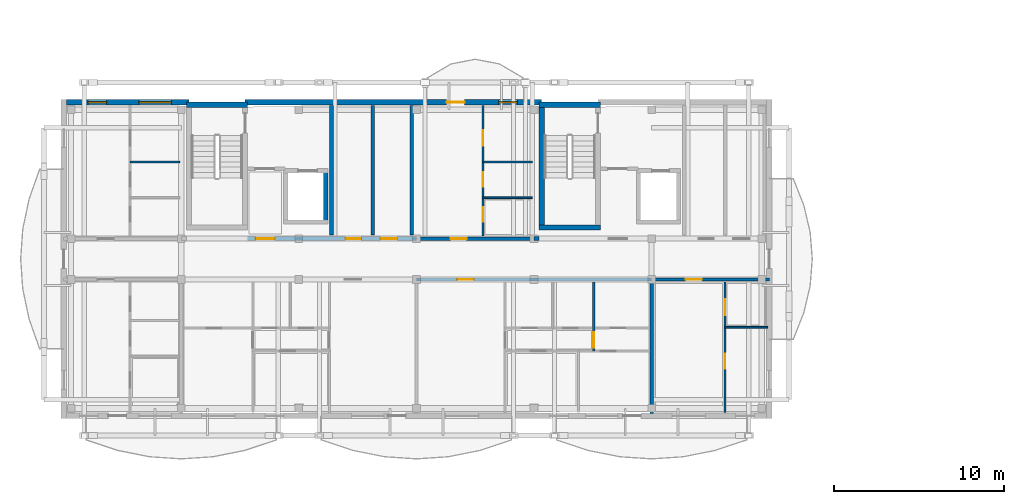
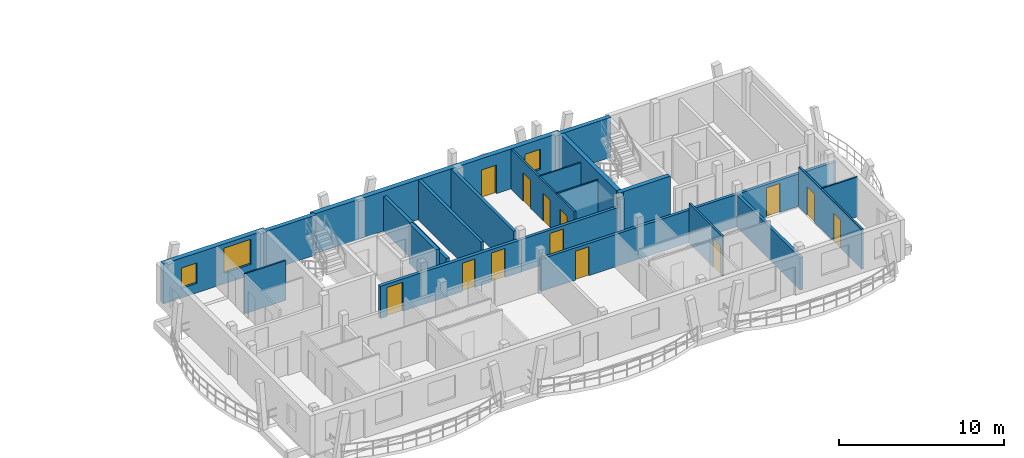
# One storey, part 12 of 29: 23 walls, 13 doors, 3 windows, 16 openings.
"""IFC4 building model written with IfcOpenShell, lengths in metres."""

import ifcopenshell
import ifcopenshell.guid

model = None  # the IFC model being written
_history = None  # IfcOwnerHistory: only IFC2X3 demands one
_inside = {}  # id of a spatial element -> (the spatial element, [elements in it])
_under = {}  # id of a project, library or spatial element -> (it, [spatial elements below it])
_declared = {}  # id of a project -> (the project, [libraries it declares])
_typed = {}  # id of a type object -> (the type object, [elements of that type])
_made_of = {}  # id of a material, layer set ... -> (it, [elements and type objects made of it])


def new_model(schema):
    """Start an empty IFC model of exactly this schema.

    Asked for "IFC4X3", IfcOpenShell would pick the latest addendum, in which some entities
    have other attributes; the version numbers below select the first issue.
    IFC2X3 requires an IfcOwnerHistory on every rooted entity: one is made here for all.
    """
    global model, _history
    if schema == "IFC4X3":
        model = ifcopenshell.file(schema_version=(4, 3, 0, 0))
    else:
        model = ifcopenshell.file(schema=schema)
    _inside.clear()
    _under.clear()
    _declared.clear()
    _typed.clear()
    _made_of.clear()
    _history = None
    if model.schema == "IFC2X3":
        org = make("IfcOrganization", Name="unknown")
        user = make(
            "IfcPersonAndOrganization",
            ThePerson=make("IfcPerson", FamilyName="unknown"),
            TheOrganization=org,
        )
        app = make(
            "IfcApplication",
            ApplicationDeveloper=org,
            Version="unknown",
            ApplicationFullName="unknown",
            ApplicationIdentifier="unknown",
        )
        _history = make(
            "IfcOwnerHistory",
            OwningUser=user,
            OwningApplication=app,
            ChangeAction="ADDED",
            CreationDate=0,
        )
    return model


def make(cls, **values):
    """One entity of the class cls with the attributes given. An attribute that is None is left unset."""
    return model.create_entity(
        cls, **{name: value for name, value in values.items() if value is not None}
    )


def rooted(cls, **values):
    """An entity with a GlobalId (a new one), such as an element, a storey or a relation."""
    return make(cls, GlobalId=ifcopenshell.guid.new(), OwnerHistory=_history, **values)


def si_unit(unit_type, name, prefix=None):
    """IfcSIUnit, for example si_unit("LENGTHUNIT", "METRE", prefix="MILLI")."""
    return make("IfcSIUnit", UnitType=unit_type, Prefix=prefix, Name=name)


def assignment(units):
    """IfcUnitAssignment: the units of a project."""
    return None if units is None else make("IfcUnitAssignment", Units=units)


def point(xyz):
    """IfcCartesianPoint."""
    return None if xyz is None else make("IfcCartesianPoint", Coordinates=xyz)


def direction(xyz):
    """IfcDirection."""
    return None if xyz is None else make("IfcDirection", DirectionRatios=xyz)


def frame(location, z_axis=None, x_axis=None):
    """IfcAxis2Placement3D, a coordinate frame: its origin and axes. An axis left out is left unset."""
    return make(
        "IfcAxis2Placement3D",
        Location=point(location),
        Axis=direction(z_axis),
        RefDirection=direction(x_axis),
    )


def frame_2d(location, x_axis=None):
    """IfcAxis2Placement2D, a coordinate frame in the plane: its origin and x axis."""
    return make(
        "IfcAxis2Placement2D", Location=point(location), RefDirection=direction(x_axis)
    )


def origin():
    """The frame at (0, 0, 0) with its axes left unset."""
    return frame((0.0, 0.0, 0.0))


def origin_with_axes():
    """The frame at (0, 0, 0) with the z axis (0, 0, 1) and the x axis (1, 0, 0) written out."""
    return frame((0.0, 0.0, 0.0), z_axis=(0.0, 0.0, 1.0), x_axis=(1.0, 0.0, 0.0))


def place(relative_to, where):
    """IfcLocalPlacement: puts the frame where relative to a parent placement (None: the world)."""
    return make(
        "IfcLocalPlacement", PlacementRelTo=relative_to, RelativePlacement=where
    )


def context(
    kind, dimensions, precision=None, world=None, true_north=None, identifier=None
):
    """IfcGeometricRepresentationContext, for example the 3D "Model" context."""
    return make(
        "IfcGeometricRepresentationContext",
        ContextIdentifier=identifier,
        ContextType=kind,
        CoordinateSpaceDimension=dimensions,
        Precision=precision,
        WorldCoordinateSystem=world,
        TrueNorth=true_north,
    )


def subcontext(parent, identifier, kind, view, scale=None):
    """IfcGeometricRepresentationSubContext, for example "Body" below "Model"."""
    return make(
        "IfcGeometricRepresentationSubContext",
        ContextIdentifier=identifier,
        ContextType=kind,
        ParentContext=parent,
        TargetScale=scale,
        TargetView=view,
    )


def project(units=None, contexts=None):
    """IfcProject with its units and contexts."""
    return rooted(
        "IfcProject",
        Name="project",
        RepresentationContexts=contexts,
        UnitsInContext=assignment(units),
    )


def spatial(cls, under=None, at=None, **own):
    """A site, building, storey or space (cls), placed at a placement, below another one or the project."""
    s = rooted(cls, ObjectPlacement=at, **own)
    if under is not None:
        _under.setdefault(under.id(), (under, []))[1].append(s)
    return s


def profile(cls, at=None, kind="AREA", **sizes):
    """A parametric profile (cls). Its sizes go by their IFC names, for example OverallWidth=200.0."""
    return make(cls, ProfileType=kind, Position=at, **sizes)


def rectangle(**sizes):
    """IfcRectangleProfileDef."""
    return profile("IfcRectangleProfileDef", **sizes)


def extrude(swept, where, along, depth):
    """IfcExtrudedAreaSolid: the profile swept, set in the frame where, extruded along a direction by depth."""
    return make(
        "IfcExtrudedAreaSolid",
        SweptArea=swept,
        Position=where,
        ExtrudedDirection=direction(along),
        Depth=depth,
    )


def shape(context_of_items, identifier, shape_type, items):
    """IfcShapeRepresentation: the items that make up one representation, for example the "Body"."""
    return make(
        "IfcShapeRepresentation",
        ContextOfItems=context_of_items,
        RepresentationIdentifier=identifier,
        RepresentationType=shape_type,
        Items=items,
    )


def material(Name=None, Category=None):
    """IfcMaterial."""
    return make("IfcMaterial", Name=Name, Category=Category)


def layer(
    of_material, thickness, ventilated=None, Name=None, Category=None, Priority=None
):
    """IfcMaterialLayer: one layer of a wall or slab, of a material (None: an air gap)."""
    return make(
        "IfcMaterialLayer",
        Material=of_material,
        LayerThickness=thickness,
        IsVentilated=ventilated,
        Name=Name,
        Category=Category,
        Priority=Priority,
    )


def layer_set(layers, Name=None):
    """IfcMaterialLayerSet."""
    return make("IfcMaterialLayerSet", MaterialLayers=layers, LayerSetName=Name)


def made_of(thing, what):
    """Note that an element or type object is made of a material, layer set ...; save() writes the relation."""
    if what is not None:
        _made_of.setdefault(what.id(), (what, []))[1].append(thing)
    return thing


def type_object(cls, material=None, **own):
    """A type object (cls), such as IfcWallType, which elements share."""
    return made_of(rooted(cls, **own), material)


def element(
    cls,
    number,
    at=None,
    inside=None,
    cuts=None,
    type_object=None,
    material=None,
    context=None,
    identifier="Body",
    shape_type=None,
    held_by="IfcProductDefinitionShape",
    body=None,
    shapes=None,
    **own,
):
    """One element of the class cls, such as IfcWall. Its Tag is "e" and its number.

    at: its placement. inside: the storey or other place that contains it. cuts: it is an
    opening in that element (IfcRelVoidsElement). A single representation is given by context,
    identifier, shape_type and body (its items); several are given by shapes. held_by: the class
    of the entity that holds the representations. save() writes the other relations.
    """
    e = rooted(cls, Tag="e%d" % number, ObjectPlacement=at, **own)
    if body is not None:
        shapes = [shape(context, identifier, shape_type, body)]
    if shapes is not None:
        e.Representation = make(held_by, Representations=shapes)
    if inside is not None:
        _inside.setdefault(inside.id(), (inside, []))[1].append(e)
    if cuts is not None:
        rooted(
            "IfcRelVoidsElement", RelatingBuildingElement=cuts, RelatedOpeningElement=e
        )
    if type_object is not None:
        _typed.setdefault(type_object.id(), (type_object, []))[1].append(e)
    return made_of(e, material)


def fill(opening, filler):
    """IfcRelFillsElement: the door or window that sits in an opening."""
    return rooted(
        "IfcRelFillsElement",
        RelatingOpeningElement=opening,
        RelatedBuildingElement=filler,
    )


def aggregate(whole, parts):
    """IfcRelAggregates: a whole, such as a stair, and the parts it consists of."""
    return rooted("IfcRelAggregates", RelatingObject=whole, RelatedObjects=parts)


def save(model, path):
    """Write the relations noted so far, then the file.

    IfcRelAggregates (storeys below a building ...), IfcRelContainedInSpatialStructure (elements
    in a storey), IfcRelDefinesByType, IfcRelAssociatesMaterial and IfcRelDeclares: one each for
    every whole, place, type object, material and project.
    """
    for whole, parts in _under.values():
        aggregate(whole, parts)
    for where, things in _inside.values():
        rooted(
            "IfcRelContainedInSpatialStructure",
            RelatedElements=things,
            RelatingStructure=where,
        )
    for kind, things in _typed.values():
        rooted("IfcRelDefinesByType", RelatedObjects=things, RelatingType=kind)
    for what, things in _made_of.values():
        rooted("IfcRelAssociatesMaterial", RelatedObjects=things, RelatingMaterial=what)
    for by, libraries in _declared.values():
        rooted("IfcRelDeclares", RelatingContext=by, RelatedDefinitions=libraries)
    model.write(path)


model = new_model("IFC4")

# Units and contexts
model_context = context("Model", 3, precision=1e-05, world=origin(), true_north=direction((0.0, 1.0)))
body_context = subcontext(model_context, "Body", "Model", "MODEL_VIEW")
ifc_project = project(units=[si_unit("LENGTHUNIT", "METRE"), si_unit("AREAUNIT", "SQUARE_METRE"), si_unit("VOLUMEUNIT", "CUBIC_METRE"), si_unit("PLANEANGLEUNIT", "RADIAN"), si_unit("MASSUNIT", "GRAM", prefix="KILO")], contexts=[model_context])

# Site, building, storey
site_placement = place(None, origin())
site = spatial("IfcSite", under=ifc_project, at=site_placement, CompositionType="ELEMENT")
building_placement = place(site_placement, origin())
building = spatial("IfcBuilding", under=site, at=building_placement, Name="Zavelmont Quarter", CompositionType="ELEMENT")
storey_placement = place(building_placement, frame((0.0, 0.0, 33.60009765625)))
storey = spatial("IfcBuildingStorey", under=building, at=storey_placement, Name="L10", CompositionType="ELEMENT", Elevation=33.60009765625)

# Wall, openings, windows
ifc_material_1 = material(Name="Natural Belgian limestone", Category="masonry")
ifc_layer_1 = layer(ifc_material_1, 0.340087890625)
ifc_layer_set_1 = layer_set([ifc_layer_1], Name="Natural Belgian limestone")
wall_type_1 = type_object("IfcWallType", Name="EW03", PredefinedType="STANDARD", material=ifc_layer_set_1)
wall_1_placement = place(storey_placement, frame((0.159912109375, 18.39990234375, 0.0), z_axis=(0.0, 0.0, 1.0), x_axis=(1.0, 0.0, 0.0)))
wall_1 = element("IfcWall", 1, at=wall_1_placement, inside=storey, type_object=wall_type_1, Name="L10 exterior limestone wall EW03", PredefinedType="STANDARD", context=body_context, shape_type="SweptSolid", body=[
    extrude(rectangle(XDim=7.190185546875, YDim=0.340087890625, at=frame_2d((3.59521484375, 0.0))), origin(), (0.0, 0.0, 1.0), 2.9599609375),
])
opening_1_placement = place(wall_1_placement, frame((1.260009765625, 0.0, 0.719970703125)))
opening_1 = element("IfcOpeningElement", 2, at=opening_1_placement, cuts=wall_1, Name="Opening WN09", PredefinedType="OPENING", context=body_context, shape_type="SweptSolid", body=[
    extrude(rectangle(XDim=1.10009765625, YDim=1.5, at=frame_2d((0.550048828125, 0.75))), frame((0.0, 0.18212890625, 0.0), z_axis=(0.0, -1.0, 0.0), x_axis=(1.0, 0.0, 0.0)), (0.0, 0.0, 1.0), 0.364013671875),
])
opening_2_placement = place(wall_1_placement, frame((4.260009765625, 0.0, 0.800048828125)))
opening_2 = element("IfcOpeningElement", 3, at=opening_2_placement, cuts=wall_1, Name="Opening WN20", PredefinedType="OPENING", context=body_context, shape_type="SweptSolid", body=[
    extrude(rectangle(XDim=1.89990234375, YDim=1.85009765625, at=frame_2d((0.949951171875, 0.925048828125))), frame((0.0, 0.18212890625, 0.0), z_axis=(0.0, -1.0, 0.0), x_axis=(1.0, 0.0, 0.0)), (0.0, 0.0, 1.0), 0.364013671875),
])
ifc_material_2 = material(Name="Double low-E insulated glazing in thermally broken aluminium frame", Category="aluminium")
window_type_1 = type_object("IfcWindowType", Name="WN09", PartitioningType="SINGLE_PANEL", PredefinedType="WINDOW", material=ifc_material_2)
window_1_placement = place(opening_1_placement, origin_with_axes())
window_1 = element("IfcWindow", 4, at=window_1_placement, inside=storey, type_object=window_type_1, Name="L10 window WN09", OverallHeight=1.5, OverallWidth=1.10009765625, PartitioningType="SINGLE_PANEL", PredefinedType="WINDOW", context=body_context, shape_type="SweptSolid", body=[
    extrude(rectangle(XDim=1.10009765625, YDim=1.5, at=frame_2d((0.550048828125, 0.75))), frame((0.0, 0.030029296875, 0.0), z_axis=(0.0, -1.0, 0.0), x_axis=(1.0, 0.0, 0.0)), (0.0, 0.0, 1.0), 0.06005859375),
])
fill(opening_1, window_1)
window_type_2 = type_object("IfcWindowType", Name="WN20", PartitioningType="SINGLE_PANEL", PredefinedType="WINDOW", material=ifc_material_2)
window_2_placement = place(opening_2_placement, origin_with_axes())
window_2 = element("IfcWindow", 5, at=window_2_placement, inside=storey, type_object=window_type_2, Name="L10 window WN20", OverallHeight=1.85009765625, OverallWidth=1.89990234375, PartitioningType="SINGLE_PANEL", PredefinedType="WINDOW", context=body_context, shape_type="SweptSolid", body=[
    extrude(rectangle(XDim=1.89990234375, YDim=1.85009765625, at=frame_2d((0.949951171875, 0.925048828125))), frame((0.0, 0.030029296875, 0.0), z_axis=(0.0, -1.0, 0.0), x_axis=(1.0, 0.0, 0.0)), (0.0, 0.0, 1.0), 0.06005859375),
])
fill(opening_2, window_2)

# Wall, openings, door, window
wall_2_placement = place(storey_placement, frame((10.64990234375, 18.39990234375, 0.0), z_axis=(0.0, 0.0, 1.0), x_axis=(1.0, 0.0, 0.0)))
wall_2 = element("IfcWall", 6, at=wall_2_placement, inside=storey, type_object=wall_type_1, Name="L10 exterior limestone wall EW03", PredefinedType="STANDARD", context=body_context, shape_type="SweptSolid", body=[
    extrude(rectangle(XDim=17.400146484375, YDim=0.340087890625, at=frame_2d((8.7001953125, 0.0))), origin(), (0.0, 0.0, 1.0), 2.9599609375),
])
opening_3_placement = place(wall_2_placement, frame((11.820068359375, 0.0, 0.0)))
opening_3 = element("IfcOpeningElement", 7, at=opening_3_placement, cuts=wall_2, Name="Opening DR04A", PredefinedType="OPENING", context=body_context, shape_type="SweptSolid", body=[
    extrude(rectangle(XDim=1.050048828125, YDim=2.1201171875, at=frame_2d((0.52490234375, 1.06005859375))), frame((0.0, 0.18212890625, 0.0), z_axis=(0.0, -1.0, 0.0), x_axis=(1.0, 0.0, 0.0)), (0.0, 0.0, 1.0), 0.364013671875),
])
opening_4_placement = place(wall_2_placement, frame((14.8701171875, 0.0, 0.719970703125)))
opening_4 = element("IfcOpeningElement", 8, at=opening_4_placement, cuts=wall_2, Name="Opening WN09", PredefinedType="OPENING", context=body_context, shape_type="SweptSolid", body=[
    extrude(rectangle(XDim=1.10009765625, YDim=1.5, at=frame_2d((0.550048828125, 0.75))), frame((0.0, 0.18212890625, 0.0), z_axis=(0.0, -1.0, 0.0), x_axis=(1.0, 0.0, 0.0)), (0.0, 0.0, 1.0), 0.364013671875),
])
ifc_material_3 = material(Name="Thermally broken aluminium and double safety glass", Category="aluminium")
door_type_1 = type_object("IfcDoorType", Name="DR04A", OperationType="NOTDEFINED", PredefinedType="DOOR", material=ifc_material_3)
door_1_placement = place(opening_3_placement, frame((1.050048828125, 0.0, 0.0), z_axis=(0.0, 0.0, 1.0), x_axis=(-1.0, 0.0, 0.0)))
door_1 = element("IfcDoor", 9, at=door_1_placement, inside=storey, type_object=door_type_1, Name="Block A L10 glazed balcony door", OperationType="SINGLE_SWING_LEFT", OverallHeight=2.1201171875, OverallWidth=1.050048828125, PredefinedType="DOOR", context=body_context, shape_type="SweptSolid", body=[
    extrude(rectangle(XDim=1.050048828125, YDim=2.1201171875, at=frame_2d((0.52490234375, 1.06005859375))), frame((0.0, 0.02490234375, 0.0), z_axis=(0.0, -1.0, 0.0), x_axis=(1.0, 0.0, 0.0)), (0.0, 0.0, 1.0), 0.050048828125),
])
fill(opening_3, door_1)
window_3_placement = place(opening_4_placement, origin_with_axes())
window_3 = element("IfcWindow", 10, at=window_3_placement, inside=storey, type_object=window_type_1, Name="L10 window WN09", OverallHeight=1.5, OverallWidth=1.10009765625, PartitioningType="SINGLE_PANEL", PredefinedType="WINDOW", context=body_context, shape_type="SweptSolid", body=[
    extrude(rectangle(XDim=1.10009765625, YDim=1.5, at=frame_2d((0.550048828125, 0.75))), frame((0.0, 0.030029296875, 0.0), z_axis=(0.0, -1.0, 0.0), x_axis=(1.0, 0.0, 0.0)), (0.0, 0.0, 1.0), 0.06005859375),
])
fill(opening_4, window_3)

# Walls
ifc_material_4 = material(Name="Calcium-silicate blockwork and acoustic plaster", Category="masonry")
ifc_layer_2 = layer(ifc_material_4, 0.199951171875)
ifc_layer_set_2 = layer_set([ifc_layer_2], Name="Calcium-silicate blockwork and acoustic plaster")
wall_type_2 = type_object("IfcWallType", Name="IW01", PredefinedType="PARTITIONING", material=ifc_layer_set_2)
for number, where, z_axis, x_axis, name in (
    (11, (18.125, 10.60009765625, 0.0), (0.0, 0.0, 1.0), (0.0, 1.0, 0.0), "L10 Service riser divider wall IW01"),
    (12, (20.419921875, 10.60009765625, 0.0), (0.0, 0.0, 1.0), (0.0, 1.0, 0.0), "L10 Core service end wall IW01"),
):
    element("IfcWall", number, at=place(storey_placement, frame(where, z_axis=z_axis, x_axis=x_axis)), inside=storey, type_object=wall_type_2, Name=name, PredefinedType="PARTITIONING", context=body_context, shape_type="SweptSolid", body=[
        extrude(rectangle(XDim=7.599853515625, YDim=0.199951171875, at=frame_2d((3.7998046875, 0.0))), origin(), (0.0, 0.0, 1.0), 2.9599609375),
    ])
wall_3_placement = place(storey_placement, frame((34.5, 7.85009765625, 0.0), z_axis=(0.0, 0.0, 1.0), x_axis=(0.0, -1.0, 0.0)))
element("IfcWall", 13, at=wall_3_placement, inside=storey, type_object=wall_type_2, Name="L10 Inter-dwelling compartment wall IW01", PredefinedType="PARTITIONING", context=body_context, shape_type="SweptSolid", body=[
    extrude(rectangle(XDim=7.7001953125, YDim=0.199951171875, at=frame_2d((3.85009765625, 0.0))), origin(), (0.0, 0.0, 1.0), 2.39990234375),
])

# Wall, opening, door
wall_4_placement = place(storey_placement, frame((20.699951171875, 8.0, 0.0), z_axis=(0.0, 0.0, 1.0), x_axis=(1.0, 0.0, 0.0)))
wall_4 = element("IfcWall", 14, at=wall_4_placement, inside=storey, type_object=wall_type_2, Name="L10 Corridor compartment wall IW01", PredefinedType="PARTITIONING", context=body_context, shape_type="SweptSolid", body=[
    extrude(rectangle(XDim=13.800048828125, YDim=0.199951171875, at=frame_2d((6.89990234375, 0.0))), origin(), (0.0, 0.0, 1.0), 2.39990234375),
])
opening_5_placement = place(wall_4_placement, frame((2.39990234375, 0.0, 0.0)))
opening_5 = element("IfcOpeningElement", 15, at=opening_5_placement, cuts=wall_4, Name="Opening DR02", PredefinedType="OPENING", context=body_context, shape_type="SweptSolid", body=[
    extrude(rectangle(XDim=0.949951171875, YDim=2.14990234375, at=frame_2d((0.47509765625, 1.074951171875))), frame((0.0, 0.11181640625, 0.0), z_axis=(0.0, -1.0, 0.0), x_axis=(1.0, 0.0, 0.0)), (0.0, 0.0, 1.0), 0.223876953125),
])
ifc_material_5 = material(Name="Solid-core oak fire leaf in steel frame", Category="steel")
door_type_2 = type_object("IfcDoorType", Name="DR02", OperationType="NOTDEFINED", PredefinedType="DOOR", material=ifc_material_5)
door_2_placement = place(opening_5_placement, frame((0.949951171875, 0.0, 0.0), z_axis=(0.0, 0.0, 1.0), x_axis=(-1.0, 0.0, 0.0)))
door_2 = element("IfcDoor", 16, at=door_2_placement, inside=storey, type_object=door_type_2, Name="L10 door DR02", OperationType="SINGLE_SWING_LEFT", OverallHeight=2.14990234375, OverallWidth=0.949951171875, PredefinedType="DOOR", context=body_context, shape_type="SweptSolid", body=[
    extrude(rectangle(XDim=0.949951171875, YDim=2.14990234375, at=frame_2d((0.47509765625, 1.074951171875))), frame((0.0, 0.02490234375, 0.0), z_axis=(0.0, -1.0, 0.0), x_axis=(1.0, 0.0, 0.0)), (0.0, 0.0, 1.0), 0.050048828125),
])
fill(opening_5, door_2)

wall_5_placement = place(storey_placement, frame((34.5, 8.0, 0.0), z_axis=(0.0, 0.0, 1.0), x_axis=(1.0, 0.0, 0.0)))
wall_5 = element("IfcWall", 17, at=wall_5_placement, inside=storey, type_object=wall_type_2, Name="L10 Corridor compartment wall IW01", PredefinedType="PARTITIONING", context=body_context, shape_type="SweptSolid", body=[
    extrude(rectangle(XDim=6.89990234375, YDim=0.199951171875, at=frame_2d((3.449951171875, 0.0))), origin(), (0.0, 0.0, 1.0), 2.39990234375),
])
opening_6_placement = place(wall_5_placement, frame((2.0, 0.0, 0.0)))
opening_6 = element("IfcOpeningElement", 18, at=opening_6_placement, cuts=wall_5, Name="Opening DR02", PredefinedType="OPENING", context=body_context, shape_type="SweptSolid", body=[
    extrude(rectangle(XDim=0.949951171875, YDim=2.14990234375, at=frame_2d((0.47509765625, 1.074951171875))), frame((0.0, 0.11181640625, 0.0), z_axis=(0.0, -1.0, 0.0), x_axis=(1.0, 0.0, 0.0)), (0.0, 0.0, 1.0), 0.223876953125),
])
door_3_placement = place(opening_6_placement, frame((0.949951171875, 0.0, 0.0), z_axis=(0.0, 0.0, 1.0), x_axis=(-1.0, 0.0, 0.0)))
door_3 = element("IfcDoor", 19, at=door_3_placement, inside=storey, type_object=door_type_2, Name="L10 door DR02", OperationType="SINGLE_SWING_RIGHT", OverallHeight=2.14990234375, OverallWidth=0.949951171875, PredefinedType="DOOR", context=body_context, shape_type="SweptSolid", body=[
    extrude(rectangle(XDim=0.949951171875, YDim=2.14990234375, at=frame_2d((0.47509765625, 1.074951171875))), frame((0.0, 0.02490234375, 0.0), z_axis=(0.0, -1.0, 0.0), x_axis=(1.0, 0.0, 0.0)), (0.0, 0.0, 1.0), 0.050048828125),
])
fill(opening_6, door_3)

wall_6_placement = place(storey_placement, frame((20.699951171875, 10.39990234375, 0.0), z_axis=(0.0, 0.0, 1.0), x_axis=(1.0, 0.0, 0.0)))
wall_6 = element("IfcWall", 20, at=wall_6_placement, inside=storey, type_object=wall_type_2, Name="L10 Corridor compartment wall IW01", PredefinedType="PARTITIONING", context=body_context, shape_type="SweptSolid", body=[
    extrude(rectangle(XDim=6.900146484375, YDim=0.199951171875, at=frame_2d((3.4501953125, 0.0))), origin(), (0.0, 0.0, 1.0), 2.39990234375),
])
opening_7_placement = place(wall_6_placement, frame((2.0, 0.0, 0.0)))
opening_7 = element("IfcOpeningElement", 21, at=opening_7_placement, cuts=wall_6, Name="Opening DR02", PredefinedType="OPENING", context=body_context, shape_type="SweptSolid", body=[
    extrude(rectangle(XDim=0.949951171875, YDim=2.14990234375, at=frame_2d((0.47509765625, 1.074951171875))), frame((0.0, 0.11181640625, 0.0), z_axis=(0.0, -1.0, 0.0), x_axis=(1.0, 0.0, 0.0)), (0.0, 0.0, 1.0), 0.223876953125),
])
door_4_placement = place(opening_7_placement, origin_with_axes())
door_4 = element("IfcDoor", 22, at=door_4_placement, inside=storey, type_object=door_type_2, Name="L10 door DR02", OperationType="SINGLE_SWING_RIGHT", OverallHeight=2.14990234375, OverallWidth=0.949951171875, PredefinedType="DOOR", context=body_context, shape_type="SweptSolid", body=[
    extrude(rectangle(XDim=0.949951171875, YDim=2.14990234375, at=frame_2d((0.47509765625, 1.074951171875))), frame((0.0, 0.02490234375, 0.0), z_axis=(0.0, -1.0, 0.0), x_axis=(1.0, 0.0, 0.0)), (0.0, 0.0, 1.0), 0.050048828125),
])
fill(opening_7, door_4)

# Wall
ifc_material_6 = material(Name="Reinforced masonry fire compartment wall", Category="masonry")
ifc_layer_3 = layer(ifc_material_6, 0.22509765625)
ifc_layer_set_3 = layer_set([ifc_layer_3], Name="Reinforced masonry fire compartment wall")
wall_type_3 = type_object("IfcWallType", Name="IW02", PredefinedType="PARTITIONING", material=ifc_layer_set_3)
wall_7_placement = place(storey_placement, frame((15.7099609375, 10.60009765625, 0.0), z_axis=(0.0, 0.0, 1.0), x_axis=(0.0, 1.0, 0.0)))
element("IfcWall", 23, at=wall_7_placement, inside=storey, type_object=wall_type_3, Name="L10 Firefighting lobby enclosure wall IW02", PredefinedType="PARTITIONING", context=body_context, shape_type="SweptSolid", body=[
    extrude(rectangle(XDim=7.599853515625, YDim=0.22509765625, at=frame_2d((3.7998046875, 0.0))), origin(), (0.0, 0.0, 1.0), 2.58984375),
])

# Wall, openings, doors
wall_8_placement = place(storey_placement, frame((10.800048828125, 10.39990234375, 0.0), z_axis=(0.0, 0.0, 1.0), x_axis=(1.0, 0.0, 0.0)))
wall_8 = element("IfcWall", 24, at=wall_8_placement, inside=storey, type_object=wall_type_3, Name="L10 Core corridor fire wall IW02", PredefinedType="PARTITIONING", context=body_context, shape_type="SweptSolid", body=[
    extrude(rectangle(XDim=9.89990234375, YDim=0.22509765625, at=frame_2d((4.949951171875, 0.0))), origin(), (0.0, 0.0, 1.0), 2.39990234375),
])
opening_8_placement = place(wall_8_placement, frame((0.47509765625, 0.0, 0.0)))
opening_8 = element("IfcOpeningElement", 25, at=opening_8_placement, cuts=wall_8, Name="Opening DR10", PredefinedType="OPENING", context=body_context, shape_type="SweptSolid", body=[
    extrude(rectangle(XDim=1.10009765625, YDim=2.14990234375, at=frame_2d((0.550048828125, 1.074951171875))), frame((0.0, 0.12451171875, 0.0), z_axis=(0.0, -1.0, 0.0), x_axis=(1.0, 0.0, 0.0)), (0.0, 0.0, 1.0), 0.2490234375),
])
opening_9_placement = place(wall_8_placement, frame((5.75, 0.0, 0.0)))
opening_9 = element("IfcOpeningElement", 26, at=opening_9_placement, cuts=wall_8, Name="Opening DR11", PredefinedType="OPENING", context=body_context, shape_type="SweptSolid", body=[
    extrude(rectangle(XDim=0.89990234375, YDim=2.10009765625, at=frame_2d((0.449951171875, 1.050048828125))), frame((0.0, 0.12451171875, 0.0), z_axis=(0.0, -1.0, 0.0), x_axis=(1.0, 0.0, 0.0)), (0.0, 0.0, 1.0), 0.2490234375),
])
opening_10_placement = place(wall_8_placement, frame((7.800048828125, 0.0, 0.0)))
opening_10 = element("IfcOpeningElement", 27, at=opening_10_placement, cuts=wall_8, Name="Opening DR02", PredefinedType="OPENING", context=body_context, shape_type="SweptSolid", body=[
    extrude(rectangle(XDim=0.949951171875, YDim=2.14990234375, at=frame_2d((0.47509765625, 1.074951171875))), frame((0.0, 0.12451171875, 0.0), z_axis=(0.0, -1.0, 0.0), x_axis=(1.0, 0.0, 0.0)), (0.0, 0.0, 1.0), 0.2490234375),
])
door_5_placement = place(opening_10_placement, frame((0.949951171875, 0.0, 0.0), z_axis=(0.0, 0.0, 1.0), x_axis=(-1.0, 0.0, 0.0)))
door_5 = element("IfcDoor", 28, at=door_5_placement, inside=storey, type_object=door_type_2, Name="Auxiliary store corridor door", OperationType="SINGLE_SWING_RIGHT", OverallHeight=2.14990234375, OverallWidth=0.949951171875, PredefinedType="DOOR", context=body_context, shape_type="SweptSolid", body=[
    extrude(rectangle(XDim=0.949951171875, YDim=2.14990234375, at=frame_2d((0.47509765625, 1.074951171875))), frame((0.0, 0.02490234375, 0.0), z_axis=(0.0, -1.0, 0.0), x_axis=(1.0, 0.0, 0.0)), (0.0, 0.0, 1.0), 0.050048828125),
])
fill(opening_10, door_5)
ifc_material_7 = material(Name="Painted steel lobby fire door", Category="steel")
door_type_3 = type_object("IfcDoorType", Name="DR10", OperationType="NOTDEFINED", PredefinedType="DOOR", material=ifc_material_7)
door_6_placement = place(opening_8_placement, origin_with_axes())
door_6 = element("IfcDoor", 29, at=door_6_placement, inside=storey, type_object=door_type_3, Name="Core vestibule fire door", OperationType="SINGLE_SWING_LEFT", OverallHeight=2.14990234375, OverallWidth=1.10009765625, PredefinedType="DOOR", context=body_context, shape_type="SweptSolid", body=[
    extrude(rectangle(XDim=1.10009765625, YDim=2.14990234375, at=frame_2d((0.550048828125, 1.074951171875))), frame((0.0, 0.02490234375, 0.0), z_axis=(0.0, -1.0, 0.0), x_axis=(1.0, 0.0, 0.0)), (0.0, 0.0, 1.0), 0.050048828125),
])
fill(opening_8, door_6)
ifc_material_8 = material(Name="Painted steel service-riser fire door", Category="steel")
door_type_4 = type_object("IfcDoorType", Name="DR11", OperationType="NOTDEFINED", PredefinedType="DOOR", material=ifc_material_8)
door_7_placement = place(opening_9_placement, frame((0.89990234375, 0.0, 0.0), z_axis=(0.0, 0.0, 1.0), x_axis=(-1.0, 0.0, 0.0)))
door_7 = element("IfcDoor", 30, at=door_7_placement, inside=storey, type_object=door_type_4, Name="Service riser fire door", OperationType="SINGLE_SWING_LEFT", OverallHeight=2.10009765625, OverallWidth=0.89990234375, PredefinedType="DOOR", context=body_context, shape_type="SweptSolid", body=[
    extrude(rectangle(XDim=0.89990234375, YDim=2.10009765625, at=frame_2d((0.449951171875, 1.050048828125))), frame((0.0, 0.02490234375, 0.0), z_axis=(0.0, -1.0, 0.0), x_axis=(1.0, 0.0, 0.0)), (0.0, 0.0, 1.0), 0.050048828125),
])
fill(opening_9, door_7)

# Wall
wall_9_placement = place(storey_placement, frame((27.60009765625, 10.39990234375, 0.0), z_axis=(0.0, 0.0, 1.0), x_axis=(1.0, 0.0, 0.0)))
element("IfcWall", 31, at=wall_9_placement, inside=storey, type_object=wall_type_3, Name="L10 Core corridor wall IW02", PredefinedType="PARTITIONING", context=body_context, shape_type="SweptSolid", body=[
    extrude(rectangle(XDim=0.2998046875, YDim=0.22509765625, at=frame_2d((0.14990234375, 0.0))), origin(), (0.0, 0.0, 1.0), 2.9599609375),
])

# Wall, opening, door
ifc_material_9 = material(Name="Double gypsum board on acoustic steel stud", Category="steel")
ifc_layer_4 = layer(ifc_material_9, 0.125)
ifc_layer_set_4 = layer_set([ifc_layer_4], Name="Double gypsum board on acoustic steel stud")
wall_type_4 = type_object("IfcWallType", Name="IW03", PredefinedType="PARTITIONING", material=ifc_layer_set_4)
wall_10_placement = place(storey_placement, frame((31.10009765625, 7.85009765625, 0.0), z_axis=(0.0, 0.0, 1.0), x_axis=(0.0, -1.0, 0.0)))
wall_10 = element("IfcWall", 32, at=wall_10_placement, inside=storey, type_object=wall_type_4, Name="L10 Partition IW03", PredefinedType="PARTITIONING", context=body_context, shape_type="SweptSolid", body=[
    extrude(rectangle(XDim=4.050048828125, YDim=0.125, at=frame_2d((2.02490234375, 0.0))), origin(), (0.0, 0.0, 1.0), 2.9599609375),
])
opening_11_placement = place(wall_10_placement, frame((2.949951171875, 0.0, 0.0)))
opening_11 = element("IfcOpeningElement", 33, at=opening_11_placement, cuts=wall_10, Name="Opening DR05", PredefinedType="OPENING", context=body_context, shape_type="SweptSolid", body=[
    extrude(rectangle(XDim=0.89990234375, YDim=2.10009765625, at=frame_2d((0.449951171875, 1.050048828125))), frame((0.0, 0.074462890625, 0.0), z_axis=(0.0, -1.0, 0.0), x_axis=(1.0, 0.0, 0.0)), (0.0, 0.0, 1.0), 0.14892578125),
])
ifc_material_10 = material(Name="Engineered oak flush interior door")
door_type_5 = type_object("IfcDoorType", Name="DR05", OperationType="NOTDEFINED", PredefinedType="DOOR", material=ifc_material_10)
door_8_placement = place(opening_11_placement, origin_with_axes())
door_8 = element("IfcDoor", 34, at=door_8_placement, inside=storey, type_object=door_type_5, Name="L10 door DR05", OperationType="SINGLE_SWING_RIGHT", OverallHeight=2.10009765625, OverallWidth=0.89990234375, PredefinedType="DOOR", context=body_context, shape_type="SweptSolid", body=[
    extrude(rectangle(XDim=0.89990234375, YDim=2.10009765625, at=frame_2d((0.449951171875, 1.050048828125))), frame((0.0, 0.02490234375, 0.0), z_axis=(0.0, -1.0, 0.0), x_axis=(1.0, 0.0, 0.0)), (0.0, 0.0, 1.0), 0.050048828125),
])
fill(opening_11, door_8)

# Wall, openings, doors
wall_11_placement = place(storey_placement, frame((38.800048828125, 7.85009765625, 0.0), z_axis=(0.0, 0.0, 1.0), x_axis=(0.0, -1.0, 0.0)))
wall_11 = element("IfcWall", 35, at=wall_11_placement, inside=storey, type_object=wall_type_4, Name="L10 Partition IW03", PredefinedType="PARTITIONING", context=body_context, shape_type="SweptSolid", body=[
    extrude(rectangle(XDim=7.650146484375, YDim=0.125, at=frame_2d((3.8251953125, 0.0))), origin(), (0.0, 0.0, 1.0), 2.9599609375),
])
opening_12_placement = place(wall_11_placement, frame((1.0, 0.0, 0.0)))
opening_12 = element("IfcOpeningElement", 36, at=opening_12_placement, cuts=wall_11, Name="Opening DR17", PredefinedType="OPENING", context=body_context, shape_type="SweptSolid", body=[
    extrude(rectangle(XDim=0.949951171875, YDim=2.10009765625, at=frame_2d((0.47509765625, 1.050048828125))), frame((0.0, 0.074462890625, 0.0), z_axis=(0.0, -1.0, 0.0), x_axis=(1.0, 0.0, 0.0)), (0.0, 0.0, 1.0), 0.14892578125),
])
opening_13_placement = place(wall_11_placement, frame((4.199951171875, 0.0, 0.0)))
opening_13 = element("IfcOpeningElement", 37, at=opening_13_placement, cuts=wall_11, Name="Opening DR05", PredefinedType="OPENING", context=body_context, shape_type="SweptSolid", body=[
    extrude(rectangle(XDim=0.89990234375, YDim=2.10009765625, at=frame_2d((0.449951171875, 1.050048828125))), frame((0.0, 0.074462890625, 0.0), z_axis=(0.0, -1.0, 0.0), x_axis=(1.0, 0.0, 0.0)), (0.0, 0.0, 1.0), 0.14892578125),
])
door_9_placement = place(opening_13_placement, origin_with_axes())
door_9 = element("IfcDoor", 38, at=door_9_placement, inside=storey, type_object=door_type_5, Name="L10 door DR05", OperationType="SINGLE_SWING_LEFT", OverallHeight=2.10009765625, OverallWidth=0.89990234375, PredefinedType="DOOR", context=body_context, shape_type="SweptSolid", body=[
    extrude(rectangle(XDim=0.89990234375, YDim=2.10009765625, at=frame_2d((0.449951171875, 1.050048828125))), frame((0.0, 0.02490234375, 0.0), z_axis=(0.0, -1.0, 0.0), x_axis=(1.0, 0.0, 0.0)), (0.0, 0.0, 1.0), 0.050048828125),
])
fill(opening_13, door_9)
ifc_material_11 = material(Name="Accessible washroom flush door")
door_type_6 = type_object("IfcDoorType", Name="DR17", OperationType="NOTDEFINED", PredefinedType="DOOR", material=ifc_material_11)
door_10_placement = place(opening_12_placement, frame((0.949951171875, 0.0, 0.0), z_axis=(0.0, 0.0, 1.0), x_axis=(-1.0, 0.0, 0.0)))
door_10 = element("IfcDoor", 39, at=door_10_placement, inside=storey, type_object=door_type_6, Name="L10 door DR17", OperationType="SINGLE_SWING_RIGHT", OverallHeight=2.10009765625, OverallWidth=0.949951171875, PredefinedType="DOOR", context=body_context, shape_type="SweptSolid", body=[
    extrude(rectangle(XDim=0.949951171875, YDim=2.10009765625, at=frame_2d((0.47509765625, 1.050048828125))), frame((0.0, 0.02490234375, 0.0), z_axis=(0.0, -1.0, 0.0), x_axis=(1.0, 0.0, 0.0)), (0.0, 0.0, 1.0), 0.050048828125),
])
fill(opening_12, door_10)

wall_12_placement = place(storey_placement, frame((24.60009765625, 10.550048828125, 0.0), z_axis=(0.0, 0.0, 1.0), x_axis=(0.0, 1.0, 0.0)))
wall_12 = element("IfcWall", 40, at=wall_12_placement, inside=storey, type_object=wall_type_4, Name="L10 Partition IW03", PredefinedType="PARTITIONING", context=body_context, shape_type="SweptSolid", body=[
    extrude(rectangle(XDim=7.64990234375, YDim=0.125, at=frame_2d((3.824951171875, 0.0))), origin(), (0.0, 0.0, 1.0), 2.9599609375),
])
opening_14_placement = place(wall_12_placement, frame((0.85009765625, 0.0, 0.0)))
opening_14 = element("IfcOpeningElement", 41, at=opening_14_placement, cuts=wall_12, Name="Opening DR16", PredefinedType="OPENING", context=body_context, shape_type="SweptSolid", body=[
    extrude(rectangle(XDim=0.85009765625, YDim=2.10009765625, at=frame_2d((0.425048828125, 1.050048828125))), frame((0.0, 0.074462890625, 0.0), z_axis=(0.0, -1.0, 0.0), x_axis=(1.0, 0.0, 0.0)), (0.0, 0.0, 1.0), 0.14892578125),
])
opening_15_placement = place(wall_12_placement, frame((2.89990234375, 0.0, 0.0)))
opening_15 = element("IfcOpeningElement", 42, at=opening_15_placement, cuts=wall_12, Name="Opening DR06", PredefinedType="OPENING", context=body_context, shape_type="SweptSolid", body=[
    extrude(rectangle(XDim=0.85009765625, YDim=2.050048828125, at=frame_2d((0.425048828125, 1.02490234375))), frame((0.0, 0.074462890625, 0.0), z_axis=(0.0, -1.0, 0.0), x_axis=(1.0, 0.0, 0.0)), (0.0, 0.0, 1.0), 0.14892578125),
])
opening_16_placement = place(wall_12_placement, frame((5.300048828125, 0.0, 0.0)))
opening_16 = element("IfcOpeningElement", 43, at=opening_16_placement, cuts=wall_12, Name="Opening DR05", PredefinedType="OPENING", context=body_context, shape_type="SweptSolid", body=[
    extrude(rectangle(XDim=0.89990234375, YDim=2.10009765625, at=frame_2d((0.449951171875, 1.050048828125))), frame((0.0, 0.074462890625, 0.0), z_axis=(0.0, -1.0, 0.0), x_axis=(1.0, 0.0, 0.0)), (0.0, 0.0, 1.0), 0.14892578125),
])
door_11_placement = place(opening_16_placement, origin_with_axes())
door_11 = element("IfcDoor", 44, at=door_11_placement, inside=storey, type_object=door_type_5, Name="L10 door DR05", OperationType="SINGLE_SWING_RIGHT", OverallHeight=2.10009765625, OverallWidth=0.89990234375, PredefinedType="DOOR", context=body_context, shape_type="SweptSolid", body=[
    extrude(rectangle(XDim=0.89990234375, YDim=2.10009765625, at=frame_2d((0.449951171875, 1.050048828125))), frame((0.0, 0.02490234375, 0.0), z_axis=(0.0, -1.0, 0.0), x_axis=(1.0, 0.0, 0.0)), (0.0, 0.0, 1.0), 0.050048828125),
])
fill(opening_16, door_11)
ifc_material_12 = material(Name="Moisture-resistant painted wet-room door")
door_type_7 = type_object("IfcDoorType", Name="DR06", OperationType="NOTDEFINED", PredefinedType="DOOR", material=ifc_material_12)
door_12_placement = place(opening_15_placement, frame((0.85009765625, 0.0, 0.0), z_axis=(0.0, 0.0, 1.0), x_axis=(-1.0, 0.0, 0.0)))
door_12 = element("IfcDoor", 45, at=door_12_placement, inside=storey, type_object=door_type_7, Name="L10 door DR06", OperationType="SINGLE_SWING_LEFT", OverallHeight=2.050048828125, OverallWidth=0.85009765625, PredefinedType="DOOR", context=body_context, shape_type="SweptSolid", body=[
    extrude(rectangle(XDim=0.85009765625, YDim=2.050048828125, at=frame_2d((0.425048828125, 1.02490234375))), frame((0.0, 0.02490234375, 0.0), z_axis=(0.0, -1.0, 0.0), x_axis=(1.0, 0.0, 0.0)), (0.0, 0.0, 1.0), 0.050048828125),
])
fill(opening_15, door_12)
door_type_8 = type_object("IfcDoorType", Name="DR16", OperationType="NOTDEFINED", PredefinedType="DOOR", material=ifc_material_10)
door_13_placement = place(opening_14_placement, origin_with_axes())
door_13 = element("IfcDoor", 46, at=door_13_placement, inside=storey, type_object=door_type_8, Name="L10 door DR16", OperationType="SINGLE_SWING_RIGHT", OverallHeight=2.10009765625, OverallWidth=0.85009765625, PredefinedType="DOOR", context=body_context, shape_type="SweptSolid", body=[
    extrude(rectangle(XDim=0.85009765625, YDim=2.10009765625, at=frame_2d((0.425048828125, 1.050048828125))), frame((0.0, 0.02490234375, 0.0), z_axis=(0.0, -1.0, 0.0), x_axis=(1.0, 0.0, 0.0)), (0.0, 0.0, 1.0), 0.050048828125),
])
fill(opening_14, door_13)

# Walls
ifc_material_13 = material(Name="Moisture-resistant gypsum board on steel stud", Category="steel")
ifc_layer_5 = layer(ifc_material_13, 0.10009765625)
ifc_layer_set_5 = layer_set([ifc_layer_5], Name="Moisture-resistant gypsum board on steel stud")
wall_type_5 = type_object("IfcWallType", Name="IW04", PredefinedType="PARTITIONING", material=ifc_layer_set_5)
wall_13_placement = place(storey_placement, frame((38.800048828125, 5.199951171875, 0.0), z_axis=(0.0, 0.0, 1.0), x_axis=(1.0, 0.0, 0.0)))
element("IfcWall", 47, at=wall_13_placement, inside=storey, type_object=wall_type_5, Name="L10 Partition IW04", PredefinedType="PARTITIONING", context=body_context, shape_type="SweptSolid", body=[
    extrude(rectangle(XDim=2.5, YDim=0.10009765625, at=frame_2d((1.25, 0.0))), origin(), (0.0, 0.0, 1.0), 2.9599609375),
])
wall_14_placement = place(storey_placement, frame((3.89990234375, 14.89990234375, 0.0), z_axis=(0.0, 0.0, 1.0), x_axis=(1.0, 0.0, 0.0)))
element("IfcWall", 48, at=wall_14_placement, inside=storey, type_object=wall_type_5, Name="L10 Partition IW04", PredefinedType="PARTITIONING", context=body_context, shape_type="SweptSolid", body=[
    extrude(rectangle(XDim=2.900146484375, YDim=0.10009765625, at=frame_2d((1.4501953125, 0.0))), origin(), (0.0, 0.0, 1.0), 2.9599609375),
])
for number, where, z_axis, x_axis, name in (
    (49, (24.60009765625, 12.800048828125, 0.0), (0.0, 0.0, 1.0), (1.0, 0.0, 0.0), "L10 Partition IW04"),
    (50, (24.60009765625, 14.89990234375, 0.0), (0.0, 0.0, 1.0), (1.0, 0.0, 0.0), "L10 Partition IW04"),
):
    element("IfcWall", number, at=place(storey_placement, frame(where, z_axis=z_axis, x_axis=x_axis)), inside=storey, type_object=wall_type_5, Name=name, PredefinedType="PARTITIONING", context=body_context, shape_type="SweptSolid", body=[
        extrude(rectangle(XDim=2.89990234375, YDim=0.10009765625, at=frame_2d((1.449951171875, 0.0))), origin(), (0.0, 0.0, 1.0), 2.9599609375),
    ])
ifc_material_14 = material(Name="Concrete C40/50", Category="concrete")
ifc_layer_6 = layer(ifc_material_14, 0.300048828125)
ifc_layer_set_6 = layer_set([ifc_layer_6], Name="Concrete C40/50")
wall_type_6 = type_object("IfcWallType", Name="SW01", PredefinedType="SHEAR", material=ifc_layer_set_6)
wall_15_placement = place(storey_placement, frame((27.89990234375, 11.050048828125, 0.0), z_axis=(0.0, 0.0, 1.0), x_axis=(1.0, 0.0, 0.0)))
element("IfcWall", 51, at=wall_15_placement, inside=storey, type_object=wall_type_6, Name="L10 ST02 corridor shear wall SW01", PredefinedType="SHEAR", context=body_context, shape_type="SweptSolid", body=[
    extrude(rectangle(XDim=3.60009765625, YDim=0.300048828125, at=frame_2d((1.800048828125, 0.0))), origin(), (0.0, 0.0, 1.0), 2.9599609375),
])
wall_16_placement = place(storey_placement, frame((28.050048828125, 10.89990234375, 0.0), z_axis=(0.0, 0.0, 1.0), x_axis=(0.0, 1.0, 0.0)))
element("IfcWall", 52, at=wall_16_placement, inside=storey, type_object=wall_type_6, Name="L10 ST02 west shear wall SW01", PredefinedType="SHEAR", context=body_context, shape_type="SweptSolid", body=[
    extrude(rectangle(XDim=7.5, YDim=0.300048828125, at=frame_2d((3.75, 0.0))), origin(), (0.0, 0.0, 1.0), 2.9599609375),
])
ifc_layer_7 = layer(ifc_material_14, 0.25)
ifc_layer_set_7 = layer_set([ifc_layer_7], Name="Concrete C40/50")
wall_type_7 = type_object("IfcWallType", Name="SW02", PredefinedType="SHEAR", material=ifc_layer_set_7)
wall_17_placement = place(storey_placement, frame((15.375, 11.25, 0.0), z_axis=(0.0, 0.0, 1.0), x_axis=(0.0, 1.0, 0.0)))
element("IfcWall", 53, at=wall_17_placement, inside=storey, type_object=wall_type_7, Name="L10 Lift FL01 east shaft wall SW02", PredefinedType="SHEAR", context=body_context, shape_type="SweptSolid", body=[
    extrude(rectangle(XDim=3.25, YDim=0.25, at=frame_2d((1.625, 0.0))), origin(), (0.0, 0.0, 1.0), 2.9599609375),
])
ifc_layer_8 = layer(ifc_material_14, 0.300048828125)
ifc_layer_set_8 = layer_set([ifc_layer_8], Name="Concrete C40/50")
wall_type_8 = type_object("IfcWallType", Name="SW03", PredefinedType="SHEAR", material=ifc_layer_set_8)
for number, where, z_axis, x_axis, name in (
    (54, (7.199951171875, 18.25, 0.0), (0.0, 0.0, 1.0), (1.0, 0.0, 0.0), "L10 ST01 outer shear wall SW03"),
    (55, (27.89990234375, 18.25, 0.0), (0.0, 0.0, 1.0), (1.0, 0.0, 0.0), "L10 ST02 outer shear wall SW03"),
):
    element("IfcWall", number, at=place(storey_placement, frame(where, z_axis=z_axis, x_axis=x_axis)), inside=storey, type_object=wall_type_8, Name=name, PredefinedType="SHEAR", context=body_context, shape_type="SweptSolid", body=[
        extrude(rectangle(XDim=3.60009765625, YDim=0.300048828125, at=frame_2d((1.800048828125, 0.0))), origin(), (0.0, 0.0, 1.0), 2.9599609375),
    ])

save(model, "model.ifc")
